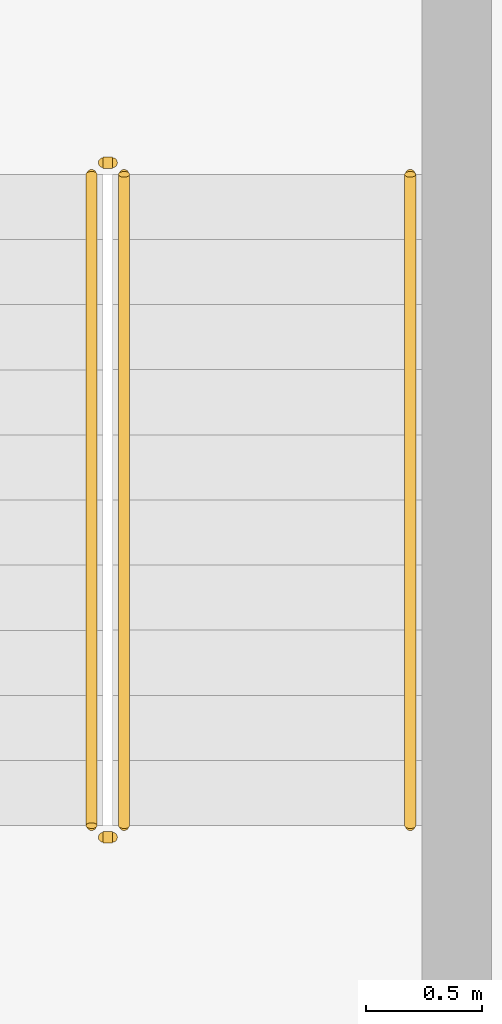
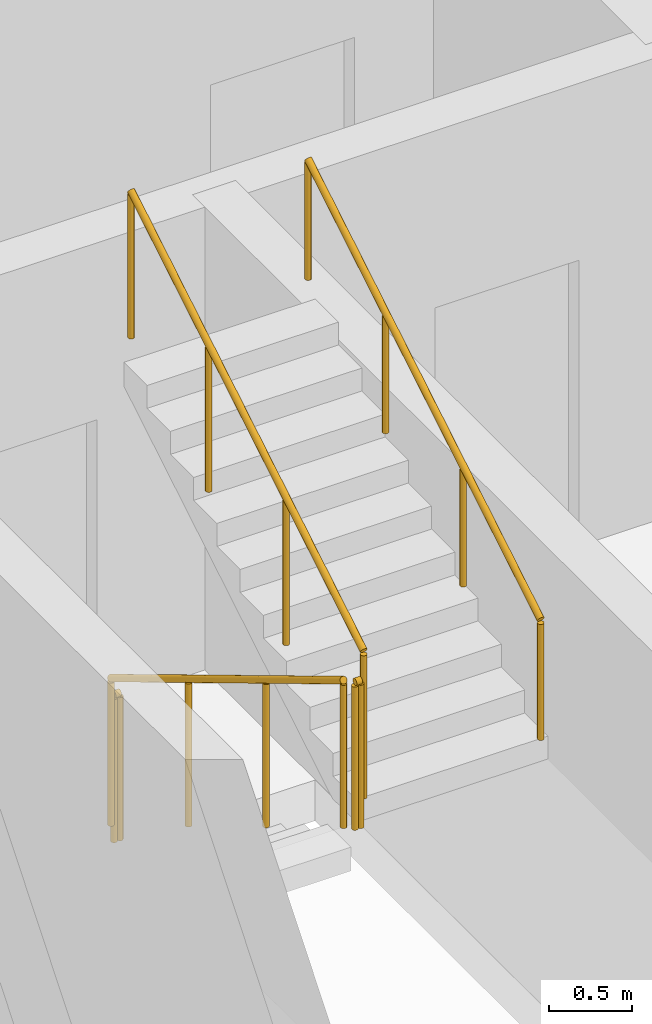
# One storey, part 30 of 33: 5 railings.
"""IFC4 building model written with IfcOpenShell, lengths in metres."""

import ifcopenshell
import ifcopenshell.guid

model = None  # the IFC model being written
_history = None  # IfcOwnerHistory: only IFC2X3 demands one
_inside = {}  # id of a spatial element -> (the spatial element, [elements in it])
_under = {}  # id of a project, library or spatial element -> (it, [spatial elements below it])
_declared = {}  # id of a project -> (the project, [libraries it declares])
_typed = {}  # id of a type object -> (the type object, [elements of that type])
_made_of = {}  # id of a material, layer set ... -> (it, [elements and type objects made of it])


def new_model(schema):
    """Start an empty IFC model of exactly this schema.

    Asked for "IFC4X3", IfcOpenShell would pick the latest addendum, in which some entities
    have other attributes; the version numbers below select the first issue.
    IFC2X3 requires an IfcOwnerHistory on every rooted entity: one is made here for all.
    """
    global model, _history
    if schema == "IFC4X3":
        model = ifcopenshell.file(schema_version=(4, 3, 0, 0))
    else:
        model = ifcopenshell.file(schema=schema)
    _inside.clear()
    _under.clear()
    _declared.clear()
    _typed.clear()
    _made_of.clear()
    _history = None
    if model.schema == "IFC2X3":
        org = make("IfcOrganization", Name="unknown")
        user = make(
            "IfcPersonAndOrganization",
            ThePerson=make("IfcPerson", FamilyName="unknown"),
            TheOrganization=org,
        )
        app = make(
            "IfcApplication",
            ApplicationDeveloper=org,
            Version="unknown",
            ApplicationFullName="unknown",
            ApplicationIdentifier="unknown",
        )
        _history = make(
            "IfcOwnerHistory",
            OwningUser=user,
            OwningApplication=app,
            ChangeAction="ADDED",
            CreationDate=0,
        )
    return model


def make(cls, **values):
    """One entity of the class cls with the attributes given. An attribute that is None is left unset."""
    return model.create_entity(
        cls, **{name: value for name, value in values.items() if value is not None}
    )


def rooted(cls, **values):
    """An entity with a GlobalId (a new one), such as an element, a storey or a relation."""
    return make(cls, GlobalId=ifcopenshell.guid.new(), OwnerHistory=_history, **values)


def si_unit(unit_type, name, prefix=None):
    """IfcSIUnit, for example si_unit("LENGTHUNIT", "METRE", prefix="MILLI")."""
    return make("IfcSIUnit", UnitType=unit_type, Prefix=prefix, Name=name)


def assignment(units):
    """IfcUnitAssignment: the units of a project."""
    return None if units is None else make("IfcUnitAssignment", Units=units)


def point(xyz):
    """IfcCartesianPoint."""
    return None if xyz is None else make("IfcCartesianPoint", Coordinates=xyz)


def direction(xyz):
    """IfcDirection."""
    return None if xyz is None else make("IfcDirection", DirectionRatios=xyz)


def frame(location, z_axis=None, x_axis=None):
    """IfcAxis2Placement3D, a coordinate frame: its origin and axes. An axis left out is left unset."""
    return make(
        "IfcAxis2Placement3D",
        Location=point(location),
        Axis=direction(z_axis),
        RefDirection=direction(x_axis),
    )


def frame_2d(location, x_axis=None):
    """IfcAxis2Placement2D, a coordinate frame in the plane: its origin and x axis."""
    return make(
        "IfcAxis2Placement2D", Location=point(location), RefDirection=direction(x_axis)
    )


def origin():
    """The frame at (0, 0, 0) with its axes left unset."""
    return frame((0.0, 0.0, 0.0))


def origin_2d():
    """The frame at (0, 0) in the plane with its x axis left unset."""
    return frame_2d((0.0, 0.0))


def place(relative_to, where):
    """IfcLocalPlacement: puts the frame where relative to a parent placement (None: the world)."""
    return make(
        "IfcLocalPlacement", PlacementRelTo=relative_to, RelativePlacement=where
    )


def context(
    kind, dimensions, precision=None, world=None, true_north=None, identifier=None
):
    """IfcGeometricRepresentationContext, for example the 3D "Model" context."""
    return make(
        "IfcGeometricRepresentationContext",
        ContextIdentifier=identifier,
        ContextType=kind,
        CoordinateSpaceDimension=dimensions,
        Precision=precision,
        WorldCoordinateSystem=world,
        TrueNorth=true_north,
    )


def subcontext(parent, identifier, kind, view, scale=None):
    """IfcGeometricRepresentationSubContext, for example "Body" below "Model"."""
    return make(
        "IfcGeometricRepresentationSubContext",
        ContextIdentifier=identifier,
        ContextType=kind,
        ParentContext=parent,
        TargetScale=scale,
        TargetView=view,
    )


def project(units=None, contexts=None):
    """IfcProject with its units and contexts."""
    return rooted(
        "IfcProject",
        Name="project",
        RepresentationContexts=contexts,
        UnitsInContext=assignment(units),
    )


def spatial(cls, under=None, at=None, **own):
    """A site, building, storey or space (cls), placed at a placement, below another one or the project."""
    s = rooted(cls, ObjectPlacement=at, **own)
    if under is not None:
        _under.setdefault(under.id(), (under, []))[1].append(s)
    return s


def profile(cls, at=None, kind="AREA", **sizes):
    """A parametric profile (cls). Its sizes go by their IFC names, for example OverallWidth=200.0."""
    return make(cls, ProfileType=kind, Position=at, **sizes)


def circle(**sizes):
    """IfcCircleProfileDef."""
    return profile("IfcCircleProfileDef", **sizes)


def extrude(swept, where, along, depth):
    """IfcExtrudedAreaSolid: the profile swept, set in the frame where, extruded along a direction by depth."""
    return make(
        "IfcExtrudedAreaSolid",
        SweptArea=swept,
        Position=where,
        ExtrudedDirection=direction(along),
        Depth=depth,
    )


def shape(context_of_items, identifier, shape_type, items):
    """IfcShapeRepresentation: the items that make up one representation, for example the "Body"."""
    return make(
        "IfcShapeRepresentation",
        ContextOfItems=context_of_items,
        RepresentationIdentifier=identifier,
        RepresentationType=shape_type,
        Items=items,
    )


def material(Name=None, Category=None):
    """IfcMaterial."""
    return make("IfcMaterial", Name=Name, Category=Category)


def made_of(thing, what):
    """Note that an element or type object is made of a material, layer set ...; save() writes the relation."""
    if what is not None:
        _made_of.setdefault(what.id(), (what, []))[1].append(thing)
    return thing


def type_object(cls, material=None, **own):
    """A type object (cls), such as IfcWallType, which elements share."""
    return made_of(rooted(cls, **own), material)


def element(
    cls,
    number,
    at=None,
    inside=None,
    cuts=None,
    type_object=None,
    material=None,
    context=None,
    identifier="Body",
    shape_type=None,
    held_by="IfcProductDefinitionShape",
    body=None,
    shapes=None,
    **own,
):
    """One element of the class cls, such as IfcWall. Its Tag is "e" and its number.

    at: its placement. inside: the storey or other place that contains it. cuts: it is an
    opening in that element (IfcRelVoidsElement). A single representation is given by context,
    identifier, shape_type and body (its items); several are given by shapes. held_by: the class
    of the entity that holds the representations. save() writes the other relations.
    """
    e = rooted(cls, Tag="e%d" % number, ObjectPlacement=at, **own)
    if body is not None:
        shapes = [shape(context, identifier, shape_type, body)]
    if shapes is not None:
        e.Representation = make(held_by, Representations=shapes)
    if inside is not None:
        _inside.setdefault(inside.id(), (inside, []))[1].append(e)
    if cuts is not None:
        rooted(
            "IfcRelVoidsElement", RelatingBuildingElement=cuts, RelatedOpeningElement=e
        )
    if type_object is not None:
        _typed.setdefault(type_object.id(), (type_object, []))[1].append(e)
    return made_of(e, material)


def aggregate(whole, parts):
    """IfcRelAggregates: a whole, such as a stair, and the parts it consists of."""
    return rooted("IfcRelAggregates", RelatingObject=whole, RelatedObjects=parts)


def save(model, path):
    """Write the relations noted so far, then the file.

    IfcRelAggregates (storeys below a building ...), IfcRelContainedInSpatialStructure (elements
    in a storey), IfcRelDefinesByType, IfcRelAssociatesMaterial and IfcRelDeclares: one each for
    every whole, place, type object, material and project.
    """
    for whole, parts in _under.values():
        aggregate(whole, parts)
    for where, things in _inside.values():
        rooted(
            "IfcRelContainedInSpatialStructure",
            RelatedElements=things,
            RelatingStructure=where,
        )
    for kind, things in _typed.values():
        rooted("IfcRelDefinesByType", RelatedObjects=things, RelatingType=kind)
    for what, things in _made_of.values():
        rooted("IfcRelAssociatesMaterial", RelatedObjects=things, RelatingMaterial=what)
    for by, libraries in _declared.values():
        rooted("IfcRelDeclares", RelatingContext=by, RelatedDefinitions=libraries)
    model.write(path)


model = new_model("IFC4")

# Units and contexts
model_context = context("Model", 3, precision=1e-05, world=origin(), true_north=direction((0.0, 1.0)))
body_context = subcontext(model_context, "Body", "Model", "MODEL_VIEW")
ifc_project = project(units=[si_unit("LENGTHUNIT", "METRE"), si_unit("AREAUNIT", "SQUARE_METRE"), si_unit("VOLUMEUNIT", "CUBIC_METRE"), si_unit("PLANEANGLEUNIT", "RADIAN"), si_unit("MASSUNIT", "GRAM", prefix="KILO")], contexts=[model_context])

# Site, building, storey
site_placement = place(None, origin())
site = spatial("IfcSite", under=ifc_project, at=site_placement, CompositionType="ELEMENT")
building_placement = place(site_placement, origin())
building = spatial("IfcBuilding", under=site, at=building_placement, Name="Ogive Portal Towers", CompositionType="ELEMENT")
storey_placement = place(building_placement, frame((0.0, 0.0, 77.89990234375)))
storey = spatial("IfcBuildingStorey", under=building, at=storey_placement, Name="L18", CompositionType="ELEMENT", Elevation=77.89990234375)

# Railings
ifc_material_1 = material(Name="Stainless steel balustrade", Category="steel")
railing_type_1 = type_object("IfcRailingType", Name="INT-GUARD", PredefinedType="GUARDRAIL", material=ifc_material_1)
railing_1_placement = place(storey_placement, frame((88.280029296875, 29.169921875, 0.168212890625)))
element("IfcRailing", 1, at=railing_1_placement, inside=storey, type_object=railing_type_1, Name="L18 ST-A4 stair guard 1", PredefinedType="GUARDRAIL", context=body_context, shape_type="SweptSolid", body=[
    extrude(circle(Radius=0.02392578125, at=origin_2d()), frame((0.0, 0.0, 1.076171875), z_axis=(0.0, -0.857222391501, 0.514946377315), x_axis=(1.0, 0.0, 0.0)), (0.0, 0.0, 1.0), 3.26611328125),
    extrude(circle(Radius=0.02099609375, at=origin_2d()), origin(), (0.0, 0.0, 1.0), 1.052001953125),
    extrude(circle(Radius=0.02099609375, at=origin_2d()), frame((0.0, -0.933349609375, 0.560546875)), (0.0, 0.0, 1.0), 1.052001953125),
    extrude(circle(Radius=0.02099609375, at=origin_2d()), frame((0.0, -1.866455078125, 1.121337890625)), (0.0, 0.0, 1.0), 1.052001953125),
    extrude(circle(Radius=0.02099609375, at=origin_2d()), frame((0.0, -2.7998046875, 1.681884765625)), (0.0, 0.0, 1.0), 1.052001953125),
])
railing_2_placement = place(storey_placement, frame((88.330078125, 26.320068359375, 1.85009765625)))
element("IfcRailing", 2, at=railing_2_placement, inside=storey, type_object=railing_type_1, Name="L18 ST-A4 stair guard 2", PredefinedType="GUARDRAIL", context=body_context, shape_type="SweptSolid", body=[
    extrude(circle(Radius=0.02392578125, at=origin_2d()), frame((0.0, 0.0, 1.076171875), z_axis=(1.0, 0.0, 0.0), x_axis=(0.0, 1.0, 0.0)), (0.0, 0.0, 1.0), 0.0400390625),
    extrude(circle(Radius=0.02099609375, at=origin_2d()), origin(), (0.0, 0.0, 1.0), 1.052001953125),
    extrude(circle(Radius=0.02099609375, at=origin_2d()), frame((0.0400390625, 0.0, 0.0)), (0.0, 0.0, 1.0), 1.052001953125),
])
railing_3_placement = place(storey_placement, frame((88.419921875, 26.3701171875, 2.018310546875)))
element("IfcRailing", 3, at=railing_3_placement, inside=storey, type_object=railing_type_1, Name="L18 ST-A4 stair guard 3", PredefinedType="GUARDRAIL", context=body_context, shape_type="SweptSolid", body=[
    extrude(circle(Radius=0.02392578125, at=origin_2d()), frame((0.0, 0.0, 1.076171875), z_axis=(0.0, 0.857222391501, 0.514946377315), x_axis=(-1.0, 0.0, 0.0)), (0.0, 0.0, 1.0), 3.26611328125),
    extrude(circle(Radius=0.02099609375, at=origin_2d()), origin(), (0.0, 0.0, 1.0), 1.052001953125),
    extrude(circle(Radius=0.02099609375, at=origin_2d()), frame((0.0, 0.933349609375, 0.560546875)), (0.0, 0.0, 1.0), 1.052001953125),
    extrude(circle(Radius=0.02099609375, at=origin_2d()), frame((0.0, 1.866455078125, 1.121337890625)), (0.0, 0.0, 1.0), 1.052001953125),
    extrude(circle(Radius=0.02099609375, at=origin_2d()), frame((0.0, 2.7998046875, 1.681884765625)), (0.0, 0.0, 1.0), 1.052001953125),
])
railing_4_placement = place(storey_placement, frame((88.330078125, 29.219970703125, 0.0)))
element("IfcRailing", 4, at=railing_4_placement, inside=storey, type_object=railing_type_1, Name="L18 ST-A4 stair guard 4", PredefinedType="GUARDRAIL", context=body_context, shape_type="SweptSolid", body=[
    extrude(circle(Radius=0.02392578125, at=origin_2d()), frame((0.0, 0.0, 1.076171875), z_axis=(1.0, 0.0, 0.0), x_axis=(0.0, 1.0, 0.0)), (0.0, 0.0, 1.0), 0.0400390625),
    extrude(circle(Radius=0.02099609375, at=origin_2d()), origin(), (0.0, 0.0, 1.0), 1.052001953125),
    extrude(circle(Radius=0.02099609375, at=origin_2d()), frame((0.0400390625, 0.0, 0.0)), (0.0, 0.0, 1.0), 1.052001953125),
])
ifc_material_2 = material(Name="Stainless steel handrail", Category="steel")
railing_type_2 = type_object("IfcRailingType", Name="INT-HANDRAIL", PredefinedType="HANDRAIL", material=ifc_material_2)
railing_5_placement = place(storey_placement, frame((89.64990234375, 26.3701171875, 2.018310546875)))
element("IfcRailing", 5, at=railing_5_placement, inside=storey, type_object=railing_type_2, Name="L18 ST-A4 stair handrail 2", PredefinedType="HANDRAIL", context=body_context, shape_type="SweptSolid", body=[
    extrude(circle(Radius=0.02392578125, at=origin_2d()), frame((0.0, 0.0, 0.8759765625), z_axis=(0.0, 0.857222391501, 0.514946377315), x_axis=(-1.0, 0.0, 0.0)), (0.0, 0.0, 1.0), 3.26611328125),
    extrude(circle(Radius=0.02099609375, at=origin_2d()), origin(), (0.0, 0.0, 1.0), 0.851806640625),
    extrude(circle(Radius=0.02099609375, at=origin_2d()), frame((0.0, 0.933349609375, 0.560546875)), (0.0, 0.0, 1.0), 0.851806640625),
    extrude(circle(Radius=0.02099609375, at=origin_2d()), frame((0.0, 1.866455078125, 1.121337890625)), (0.0, 0.0, 1.0), 0.851806640625),
    extrude(circle(Radius=0.02099609375, at=origin_2d()), frame((0.0, 2.7998046875, 1.681884765625)), (0.0, 0.0, 1.0), 0.851806640625),
])

save(model, "model.ifc")
